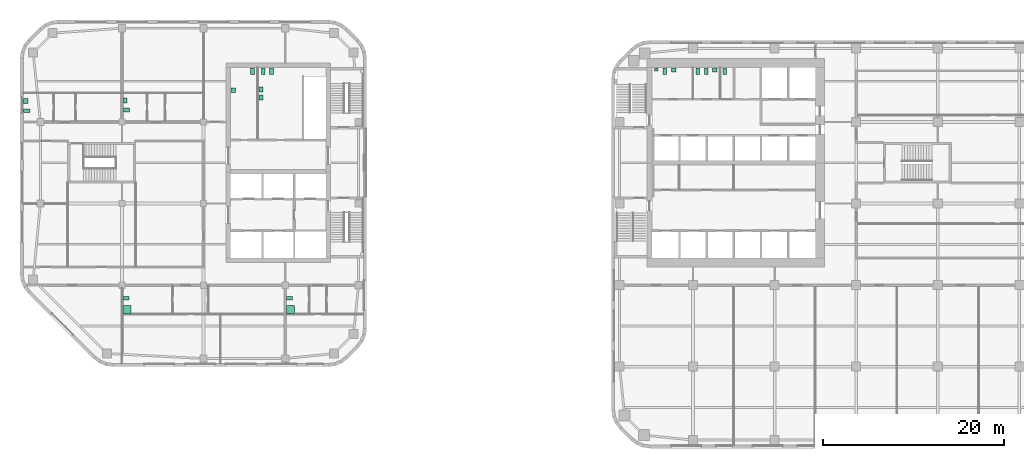
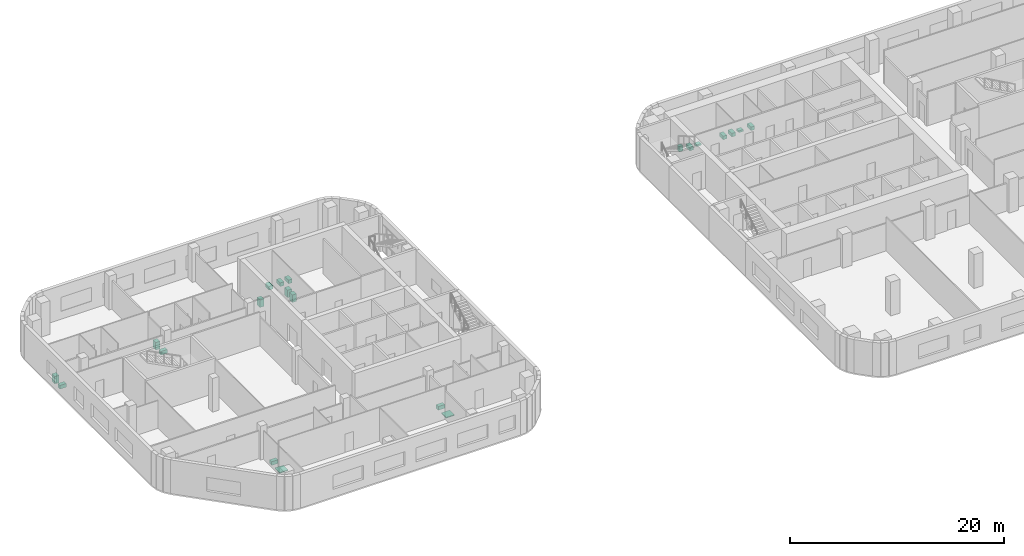
# One storey, part 15 of 15: 21 sanitary terminals.
"""IFC4 building model written with IfcOpenShell, lengths in metres."""

from ifc_helpers import new_model, si_unit, direction, frame, origin, origin_2d, place, context, subcontext, project, spatial, rectangle, extrude, material, type_object, element, save


model = new_model("IFC4")

# Units and contexts
model_context = context("Model", 3, precision=1e-05, world=origin(), true_north=direction((0.0, 1.0)))
body_context = subcontext(model_context, "Body", "Model", "MODEL_VIEW")
ifc_project = project(units=[si_unit("LENGTHUNIT", "METRE"), si_unit("AREAUNIT", "SQUARE_METRE"), si_unit("VOLUMEUNIT", "CUBIC_METRE"), si_unit("PLANEANGLEUNIT", "RADIAN"), si_unit("MASSUNIT", "GRAM", prefix="KILO")], contexts=[model_context])

# Site, building, storey
site_placement = place(None, origin())
site = spatial("IfcSite", under=ifc_project, at=site_placement, CompositionType="ELEMENT")
building_placement = place(site_placement, origin())
building = spatial("IfcBuilding", under=site, at=building_placement, Name="Cinnabar Reach Civic Tower", CompositionType="ELEMENT")
storey_placement = place(building_placement, frame((0.0, 0.0, 63.0)))
storey = spatial("IfcBuildingStorey", under=building, at=storey_placement, Name="L14", CompositionType="ELEMENT", Elevation=63.0)

# Sanitary terminals
ifc_material_1 = material(Name="Vitreous china")
sanitary_terminal_type_1 = type_object("IfcSanitaryTerminalType", Name="T1 WC pan", PredefinedType="TOILETPAN", material=ifc_material_1)
for number, where, z_axis, x_axis, name in (
    (1, (5.9, 41.6, 0.0), (0.0, 0.0, 1.0), (1.0, 0.0, 0.0), "T1 WC pan 1407-2"),
    (2, (9.5, 41.6, 0.0), (0.0, 0.0, 1.0), (1.0, 0.0, 0.0), "T1 WC pan 1408-1"),
    (3, (10.45, 41.6, 0.0), (0.0, 0.0, 1.0), (1.0, 0.0, 0.0), "T1 WC pan 1408-2"),
    (4, (12.5, 41.6, 0.0), (0.0, 0.0, 1.0), (1.0, 0.0, 0.0), "T1 WC pan 1409-1"),
):
    element("IfcSanitaryTerminal", number, at=place(storey_placement, frame(where, z_axis=z_axis, x_axis=x_axis)), inside=storey, type_object=sanitary_terminal_type_1, Name=name, PredefinedType="TOILETPAN", context=body_context, shape_type="SweptSolid", body=[
        extrude(rectangle(XDim=0.4, YDim=0.7, at=origin_2d()), origin(), (0.0, 0.0, 1.0), 0.4),
    ])
sanitary_terminal_type_2 = type_object("IfcSanitaryTerminalType", Name="T1 urinal", PredefinedType="URINAL", material=ifc_material_1)
sanitary_terminal_placement = place(storey_placement, frame((4.95, 41.775, 0.0), z_axis=(0.0, 0.0, 1.0), x_axis=(1.0, 0.0, 0.0)))
element("IfcSanitaryTerminal", 5, at=sanitary_terminal_placement, inside=storey, type_object=sanitary_terminal_type_2, Name="T1 urinal 1407-1", PredefinedType="URINAL", context=body_context, shape_type="SweptSolid", body=[
    extrude(rectangle(XDim=0.4, YDim=0.35, at=origin_2d()), origin(), (0.0, 0.0, 1.0), 0.6),
])
sanitary_terminal_type_3 = type_object("IfcSanitaryTerminalType", Name="T1 wash basin", PredefinedType="WASHHANDBASIN", material=ifc_material_1)
for number, where, z_axis, x_axis, name in (
    (6, (6.85, 41.74, 0.0), (0.0, 0.0, 1.0), (1.0, 0.0, 0.0), "T1 wash basin 1407-3"),
    (7, (11.4, 41.74, 0.0), (0.0, 0.0, 1.0), (1.0, 0.0, 0.0), "T1 wash basin 1408-3"),
):
    element("IfcSanitaryTerminal", number, at=place(storey_placement, frame(where, z_axis=z_axis, x_axis=x_axis)), inside=storey, type_object=sanitary_terminal_type_3, Name=name, PredefinedType="WASHHANDBASIN", context=body_context, shape_type="SweptSolid", body=[
        extrude(rectangle(XDim=0.5, YDim=0.42, at=origin_2d()), origin(), (0.0, 0.0, 1.0), 0.2),
    ])
ifc_material_2 = material(Name="Acrylic tray")
sanitary_terminal_type_4 = type_object("IfcSanitaryTerminalType", Name="T2 Shower tray", PredefinedType="SHOWER", material=ifc_material_2)
for number, where, z_axis, x_axis, name in (
    (8, (-53.45, 15.3, 0.0), (0.0, 0.0, 1.0), (1.0, 0.0, 0.0), "Shower tray"),
    (9, (-35.425, 15.3, 0.0), (0.0, 0.0, 1.0), (1.0, 0.0, 0.0), "Shower tray"),
):
    element("IfcSanitaryTerminal", number, at=place(storey_placement, frame(where, z_axis=z_axis, x_axis=x_axis)), inside=storey, type_object=sanitary_terminal_type_4, Name=name, PredefinedType="SHOWER", context=body_context, shape_type="SweptSolid", body=[
        extrude(rectangle(XDim=0.9, YDim=0.9, at=origin_2d()), origin(), (0.0, 0.0, 1.0), 0.1),
    ])
sanitary_terminal_type_5 = type_object("IfcSanitaryTerminalType", Name="T2 WC pan", PredefinedType="TOILETPAN", material=ifc_material_1)
for number, where, z_axis, x_axis, name in (
    (10, (-39.6, 41.6, 0.0), (0.0, 0.0, 1.0), (1.0, 0.0, 0.0), "WC pan"),
    (11, (-38.4, 41.6, 0.0), (0.0, 0.0, 1.0), (1.0, 0.0, 0.0), "WC pan"),
    (12, (-37.5, 41.6, 0.0), (0.0, 0.0, 1.0), (1.0, 0.0, 0.0), "WC pan"),
):
    element("IfcSanitaryTerminal", number, at=place(storey_placement, frame(where, z_axis=z_axis, x_axis=x_axis)), inside=storey, type_object=sanitary_terminal_type_5, Name=name, PredefinedType="TOILETPAN", context=body_context, shape_type="SweptSolid", body=[
        extrude(rectangle(XDim=0.4, YDim=0.7, at=origin_2d()), origin(), (0.0, 0.0, 1.0), 0.42),
    ])
for number, where, z_axis, x_axis, name in (
    (13, (-53.55, 16.55, 0.0), (0.0, 0.0, 1.0), (1.0, 0.0, 0.0), "WC pan"),
    (14, (-35.525, 16.55, 0.0), (0.0, 0.0, 1.0), (1.0, 0.0, 0.0), "WC pan"),
    (15, (-64.49, 37.25, 0.0), (0.0, 0.0, 1.0), (1.0, 0.0, 0.0), "WC pan"),
    (16, (-53.525, 37.325, 0.0), (0.0, 0.0, 1.0), (1.0, 0.0, 0.0), "WC pan"),
):
    element("IfcSanitaryTerminal", number, at=place(storey_placement, frame(where, z_axis=z_axis, x_axis=x_axis)), inside=storey, type_object=sanitary_terminal_type_5, Name=name, PredefinedType="TOILETPAN", context=body_context, shape_type="SweptSolid", body=[
        extrude(rectangle(XDim=0.7, YDim=0.4, at=origin_2d()), origin(), (0.0, 0.0, 1.0), 0.42),
    ])
sanitary_terminal_type_6 = type_object("IfcSanitaryTerminalType", Name="T2 Wash basin", PredefinedType="WASHHANDBASIN", material=ifc_material_1)
for number, where, z_axis, x_axis, name in (
    (17, (-41.725, 39.5, 0.0), (0.0, 0.0, 1.0), (1.0, 0.0, 0.0), "Wash basin"),
    (18, (-38.675, 39.6, 0.0), (0.0, 0.0, 1.0), (1.0, 0.0, 0.0), "Wash basin"),
    (19, (-38.675, 38.7, 0.0), (0.0, 0.0, 1.0), (1.0, 0.0, 0.0), "Wash basin"),
    (20, (-64.615, 38.3, 0.0), (0.0, 0.0, 1.0), (1.0, 0.0, 0.0), "Wash basin"),
    (21, (-53.65, 38.375, 0.0), (0.0, 0.0, 1.0), (1.0, 0.0, 0.0), "Wash basin"),
):
    element("IfcSanitaryTerminal", number, at=place(storey_placement, frame(where, z_axis=z_axis, x_axis=x_axis)), inside=storey, type_object=sanitary_terminal_type_6, Name=name, PredefinedType="WASHHANDBASIN", context=body_context, shape_type="SweptSolid", body=[
        extrude(rectangle(XDim=0.45, YDim=0.55, at=origin_2d()), origin(), (0.0, 0.0, 1.0), 0.85),
    ])

save(model, "model.ifc")
